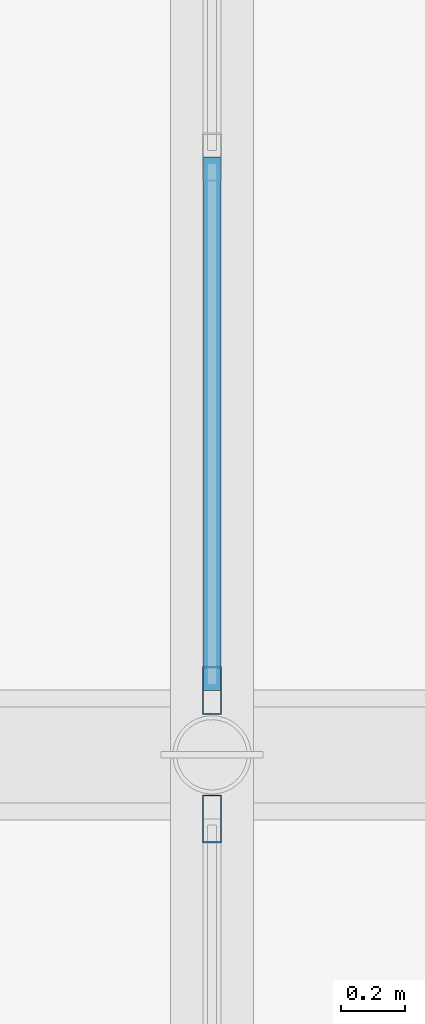
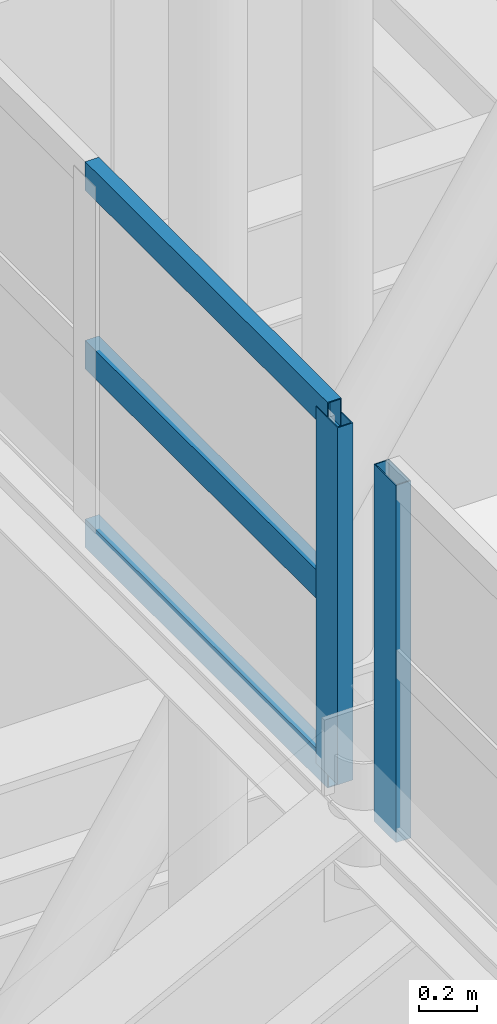
# One storey, part 35 of 84: 5 members, 2 elements without a shape of their own.
"""IFC4 building model written with IfcOpenShell, lengths in metres."""

import ifcopenshell
import ifcopenshell.guid

model = None  # the IFC model being written
_history = None  # IfcOwnerHistory: only IFC2X3 demands one
_inside = {}  # id of a spatial element -> (the spatial element, [elements in it])
_under = {}  # id of a project, library or spatial element -> (it, [spatial elements below it])
_declared = {}  # id of a project -> (the project, [libraries it declares])
_typed = {}  # id of a type object -> (the type object, [elements of that type])
_made_of = {}  # id of a material, layer set ... -> (it, [elements and type objects made of it])


def new_model(schema):
    """Start an empty IFC model of exactly this schema.

    Asked for "IFC4X3", IfcOpenShell would pick the latest addendum, in which some entities
    have other attributes; the version numbers below select the first issue.
    IFC2X3 requires an IfcOwnerHistory on every rooted entity: one is made here for all.
    """
    global model, _history
    if schema == "IFC4X3":
        model = ifcopenshell.file(schema_version=(4, 3, 0, 0))
    else:
        model = ifcopenshell.file(schema=schema)
    _inside.clear()
    _under.clear()
    _declared.clear()
    _typed.clear()
    _made_of.clear()
    _history = None
    if model.schema == "IFC2X3":
        org = make("IfcOrganization", Name="unknown")
        user = make(
            "IfcPersonAndOrganization",
            ThePerson=make("IfcPerson", FamilyName="unknown"),
            TheOrganization=org,
        )
        app = make(
            "IfcApplication",
            ApplicationDeveloper=org,
            Version="unknown",
            ApplicationFullName="unknown",
            ApplicationIdentifier="unknown",
        )
        _history = make(
            "IfcOwnerHistory",
            OwningUser=user,
            OwningApplication=app,
            ChangeAction="ADDED",
            CreationDate=0,
        )
    return model


def make(cls, **values):
    """One entity of the class cls with the attributes given. An attribute that is None is left unset."""
    return model.create_entity(
        cls, **{name: value for name, value in values.items() if value is not None}
    )


def rooted(cls, **values):
    """An entity with a GlobalId (a new one), such as an element, a storey or a relation."""
    return make(cls, GlobalId=ifcopenshell.guid.new(), OwnerHistory=_history, **values)


def si_unit(unit_type, name, prefix=None):
    """IfcSIUnit, for example si_unit("LENGTHUNIT", "METRE", prefix="MILLI")."""
    return make("IfcSIUnit", UnitType=unit_type, Prefix=prefix, Name=name)


def assignment(units):
    """IfcUnitAssignment: the units of a project."""
    return None if units is None else make("IfcUnitAssignment", Units=units)


def point(xyz):
    """IfcCartesianPoint."""
    return None if xyz is None else make("IfcCartesianPoint", Coordinates=xyz)


def direction(xyz):
    """IfcDirection."""
    return None if xyz is None else make("IfcDirection", DirectionRatios=xyz)


def frame(location, z_axis=None, x_axis=None):
    """IfcAxis2Placement3D, a coordinate frame: its origin and axes. An axis left out is left unset."""
    return make(
        "IfcAxis2Placement3D",
        Location=point(location),
        Axis=direction(z_axis),
        RefDirection=direction(x_axis),
    )


def frame_2d(location, x_axis=None):
    """IfcAxis2Placement2D, a coordinate frame in the plane: its origin and x axis."""
    return make(
        "IfcAxis2Placement2D", Location=point(location), RefDirection=direction(x_axis)
    )


def origin():
    """The frame at (0, 0, 0) with its axes left unset."""
    return frame((0.0, 0.0, 0.0))


def origin_2d():
    """The frame at (0, 0) in the plane with its x axis left unset."""
    return frame_2d((0.0, 0.0))


def place(relative_to, where):
    """IfcLocalPlacement: puts the frame where relative to a parent placement (None: the world)."""
    return make(
        "IfcLocalPlacement", PlacementRelTo=relative_to, RelativePlacement=where
    )


def context(
    kind, dimensions, precision=None, world=None, true_north=None, identifier=None
):
    """IfcGeometricRepresentationContext, for example the 3D "Model" context."""
    return make(
        "IfcGeometricRepresentationContext",
        ContextIdentifier=identifier,
        ContextType=kind,
        CoordinateSpaceDimension=dimensions,
        Precision=precision,
        WorldCoordinateSystem=world,
        TrueNorth=true_north,
    )


def subcontext(parent, identifier, kind, view, scale=None):
    """IfcGeometricRepresentationSubContext, for example "Body" below "Model"."""
    return make(
        "IfcGeometricRepresentationSubContext",
        ContextIdentifier=identifier,
        ContextType=kind,
        ParentContext=parent,
        TargetScale=scale,
        TargetView=view,
    )


def project(units=None, contexts=None):
    """IfcProject with its units and contexts."""
    return rooted(
        "IfcProject",
        Name="project",
        RepresentationContexts=contexts,
        UnitsInContext=assignment(units),
    )


def spatial(cls, under=None, at=None, **own):
    """A site, building, storey or space (cls), placed at a placement, below another one or the project."""
    s = rooted(cls, ObjectPlacement=at, **own)
    if under is not None:
        _under.setdefault(under.id(), (under, []))[1].append(s)
    return s


def profile(cls, at=None, kind="AREA", **sizes):
    """A parametric profile (cls). Its sizes go by their IFC names, for example OverallWidth=200.0."""
    return make(cls, ProfileType=kind, Position=at, **sizes)


def hollow_rectangle(**sizes):
    """IfcRectangleHollowProfileDef."""
    return profile("IfcRectangleHollowProfileDef", **sizes)


def extrude(swept, where, along, depth):
    """IfcExtrudedAreaSolid: the profile swept, set in the frame where, extruded along a direction by depth."""
    return make(
        "IfcExtrudedAreaSolid",
        SweptArea=swept,
        Position=where,
        ExtrudedDirection=direction(along),
        Depth=depth,
    )


def shape(context_of_items, identifier, shape_type, items):
    """IfcShapeRepresentation: the items that make up one representation, for example the "Body"."""
    return make(
        "IfcShapeRepresentation",
        ContextOfItems=context_of_items,
        RepresentationIdentifier=identifier,
        RepresentationType=shape_type,
        Items=items,
    )


def material(Name=None, Category=None):
    """IfcMaterial."""
    return make("IfcMaterial", Name=Name, Category=Category)


def layer(
    of_material, thickness, ventilated=None, Name=None, Category=None, Priority=None
):
    """IfcMaterialLayer: one layer of a wall or slab, of a material (None: an air gap)."""
    return make(
        "IfcMaterialLayer",
        Material=of_material,
        LayerThickness=thickness,
        IsVentilated=ventilated,
        Name=Name,
        Category=Category,
        Priority=Priority,
    )


def layer_set(layers, Name=None):
    """IfcMaterialLayerSet."""
    return make("IfcMaterialLayerSet", MaterialLayers=layers, LayerSetName=Name)


def material_profile(
    of_material, cross_section, Name=None, Category=None, Priority=None
):
    """IfcMaterialProfile: a cross section and its material."""
    return make(
        "IfcMaterialProfile",
        Name=Name,
        Material=of_material,
        Profile=cross_section,
        Priority=Priority,
        Category=Category,
    )


def profile_set(profiles, Name=None, composite=None):
    """IfcMaterialProfileSet."""
    return make(
        "IfcMaterialProfileSet",
        Name=Name,
        MaterialProfiles=profiles,
        CompositeProfile=composite,
    )


def made_of(thing, what):
    """Note that an element or type object is made of a material, layer set ...; save() writes the relation."""
    if what is not None:
        _made_of.setdefault(what.id(), (what, []))[1].append(thing)
    return thing


def type_object(cls, material=None, **own):
    """A type object (cls), such as IfcWallType, which elements share."""
    return made_of(rooted(cls, **own), material)


def element(
    cls,
    number,
    at=None,
    inside=None,
    cuts=None,
    type_object=None,
    material=None,
    context=None,
    identifier="Body",
    shape_type=None,
    held_by="IfcProductDefinitionShape",
    body=None,
    shapes=None,
    **own,
):
    """One element of the class cls, such as IfcWall. Its Tag is "e" and its number.

    at: its placement. inside: the storey or other place that contains it. cuts: it is an
    opening in that element (IfcRelVoidsElement). A single representation is given by context,
    identifier, shape_type and body (its items); several are given by shapes. held_by: the class
    of the entity that holds the representations. save() writes the other relations.
    """
    e = rooted(cls, Tag="e%d" % number, ObjectPlacement=at, **own)
    if body is not None:
        shapes = [shape(context, identifier, shape_type, body)]
    if shapes is not None:
        e.Representation = make(held_by, Representations=shapes)
    if inside is not None:
        _inside.setdefault(inside.id(), (inside, []))[1].append(e)
    if cuts is not None:
        rooted(
            "IfcRelVoidsElement", RelatingBuildingElement=cuts, RelatedOpeningElement=e
        )
    if type_object is not None:
        _typed.setdefault(type_object.id(), (type_object, []))[1].append(e)
    return made_of(e, material)


def aggregate(whole, parts):
    """IfcRelAggregates: a whole, such as a stair, and the parts it consists of."""
    return rooted("IfcRelAggregates", RelatingObject=whole, RelatedObjects=parts)


def save(model, path):
    """Write the relations noted so far, then the file.

    IfcRelAggregates (storeys below a building ...), IfcRelContainedInSpatialStructure (elements
    in a storey), IfcRelDefinesByType, IfcRelAssociatesMaterial and IfcRelDeclares: one each for
    every whole, place, type object, material and project.
    """
    for whole, parts in _under.values():
        aggregate(whole, parts)
    for where, things in _inside.values():
        rooted(
            "IfcRelContainedInSpatialStructure",
            RelatedElements=things,
            RelatingStructure=where,
        )
    for kind, things in _typed.values():
        rooted("IfcRelDefinesByType", RelatedObjects=things, RelatingType=kind)
    for what, things in _made_of.values():
        rooted("IfcRelAssociatesMaterial", RelatedObjects=things, RelatingMaterial=what)
    for by, libraries in _declared.values():
        rooted("IfcRelDeclares", RelatingContext=by, RelatedDefinitions=libraries)
    model.write(path)


model = new_model("IFC4")

# Units and contexts
model_context = context("Model", 3, precision=1e-05, world=origin(), true_north=direction((0.0, 1.0)))
body_context = subcontext(model_context, "Body", "Model", "MODEL_VIEW")
ifc_project = project(units=[si_unit("LENGTHUNIT", "METRE"), si_unit("AREAUNIT", "SQUARE_METRE"), si_unit("VOLUMEUNIT", "CUBIC_METRE"), si_unit("PLANEANGLEUNIT", "RADIAN"), si_unit("MASSUNIT", "GRAM", prefix="KILO")], contexts=[model_context])

# Site, building, storey
site_placement = place(None, origin())
site = spatial("IfcSite", under=ifc_project, at=site_placement, CompositionType="ELEMENT")
building_placement = place(site_placement, origin())
building = spatial("IfcBuilding", under=site, at=building_placement, Name="Sundgate Opera House", CompositionType="ELEMENT")
storey_placement = place(building_placement, frame((0.0, 0.0, 30.60009765625)))
storey = spatial("IfcBuildingStorey", under=building, at=storey_placement, Name="L06", CompositionType="ELEMENT", Elevation=30.60009765625)

# Curtain wall, member
ifc_material_1 = material(Name="Anodized aluminium and low-iron glass", Category="aluminium")
ifc_layer = layer(ifc_material_1, 0.169921875)
ifc_layer_set = layer_set([ifc_layer], Name="Anodized aluminium and low-iron glass")
curtain_wall_type = type_object("IfcCurtainWallType", Name="CW-LANTERN-POLY", PredefinedType="NOTDEFINED", material=ifc_layer_set)
curtain_wall_1_placement = place(storey_placement, origin())
curtain_wall_1 = element("IfcCurtainWall", 1, at=curtain_wall_1_placement, inside=storey, type_object=curtain_wall_type, Name="L06 Curtain Wall CW179", PredefinedType="NOTDEFINED")
ifc_material_2 = material(Name="Anodized aluminium EN AW-6063", Category="aluminium")
ifc_material_profile_1 = material_profile(ifc_material_2, hollow_rectangle(XDim=0.06005859375, YDim=0.14990234375, WallThickness=0.00390625, at=origin_2d()), Name="CWM 150x60x4")
ifc_profile_set_1 = profile_set([ifc_material_profile_1], Name="Anodized aluminium EN AW-6063")
member_type_1 = type_object("IfcMemberType", Name="CWM-ALU-150x60", PredefinedType="MULLION", material=ifc_profile_set_1)
member_1_placement = place(storey_placement, frame((51.5, 65.199951171875, 16.199951171875), z_axis=(0.0, 0.0, 1.0), x_axis=(1.0, 0.0, 0.0)))
member_1 = element("IfcMember", 2, at=member_1_placement, type_object=member_type_1, Name="CW179 Mullion 1", PredefinedType="MULLION", context=body_context, shape_type="SweptSolid", body=[
    extrude(hollow_rectangle(XDim=0.06005859375, YDim=0.14990234375, WallThickness=0.00390625, at=origin_2d()), origin(), (0.0, 0.0, 1.0), 1.5),
])
aggregate(curtain_wall_1, [member_1])

# Curtain wall, members
curtain_wall_2_placement = place(storey_placement, origin())
curtain_wall_2 = element("IfcCurtainWall", 3, at=curtain_wall_2_placement, inside=storey, type_object=curtain_wall_type, Name="L06 Curtain Wall CW181", PredefinedType="NOTDEFINED")
member_2_placement = place(storey_placement, frame((51.5, 65.60009765625, 16.199951171875), z_axis=(0.0, 0.0, 1.0), x_axis=(1.0, 0.0, 0.0)))
member_2 = element("IfcMember", 4, at=member_2_placement, type_object=member_type_1, Name="CW181 Mullion 4", PredefinedType="MULLION", context=body_context, shape_type="SweptSolid", body=[
    extrude(hollow_rectangle(XDim=0.06005859375, YDim=0.14990234375, WallThickness=0.00390625, at=origin_2d()), origin(), (0.0, 0.0, 1.0), 1.5),
])
ifc_material_3 = material(Name="Anodized aluminium EN AW-6063", Category="aluminium")
ifc_material_profile_2 = material_profile(ifc_material_3, hollow_rectangle(XDim=0.054931640625, YDim=0.1201171875, WallThickness=0.00390625, at=origin_2d()), Name="CWT 120x55x4")
ifc_profile_set_2 = profile_set([ifc_material_profile_2], Name="Anodized aluminium EN AW-6063")
member_type_2 = type_object("IfcMemberType", Name="CWT-ALU-120x55", PredefinedType="USERDEFINED", material=ifc_profile_set_2)
member_3_placement = place(storey_placement, frame((51.5, 67.2666015625, 16.199951171875), z_axis=(0.0, -1.0, 0.0), x_axis=(1.0, 0.0, 0.0)))
member_3 = element("IfcMember", 5, at=member_3_placement, type_object=member_type_2, Name="CW181 Transom 7", ObjectType="TRANSOM", PredefinedType="USERDEFINED", context=body_context, shape_type="SweptSolid", body=[
    extrude(hollow_rectangle(XDim=0.054931640625, YDim=0.1201171875, WallThickness=0.00390625, at=origin_2d()), origin(), (0.0, 0.0, 1.0), 1.66650390625),
])
member_4_placement = place(storey_placement, frame((51.5, 67.2666015625, 16.949951171875), z_axis=(0.0, -1.0, 0.0), x_axis=(1.0, 0.0, 0.0)))
member_4 = element("IfcMember", 6, at=member_4_placement, type_object=member_type_2, Name="CW181 Transom 8", ObjectType="TRANSOM", PredefinedType="USERDEFINED", context=body_context, shape_type="SweptSolid", body=[
    extrude(hollow_rectangle(XDim=0.054931640625, YDim=0.1201171875, WallThickness=0.00390625, at=origin_2d()), origin(), (0.0, 0.0, 1.0), 1.66650390625),
])
member_5_placement = place(storey_placement, frame((51.5, 67.2666015625, 17.699951171875), z_axis=(0.0, -1.0, 0.0), x_axis=(1.0, 0.0, 0.0)))
member_5 = element("IfcMember", 7, at=member_5_placement, type_object=member_type_2, Name="CW181 Transom 9", ObjectType="TRANSOM", PredefinedType="USERDEFINED", context=body_context, shape_type="SweptSolid", body=[
    extrude(hollow_rectangle(XDim=0.054931640625, YDim=0.1201171875, WallThickness=0.00390625, at=origin_2d()), origin(), (0.0, 0.0, 1.0), 1.66650390625),
])
aggregate(curtain_wall_2, [member_2, member_3, member_4, member_5])

save(model, "model.ifc")
